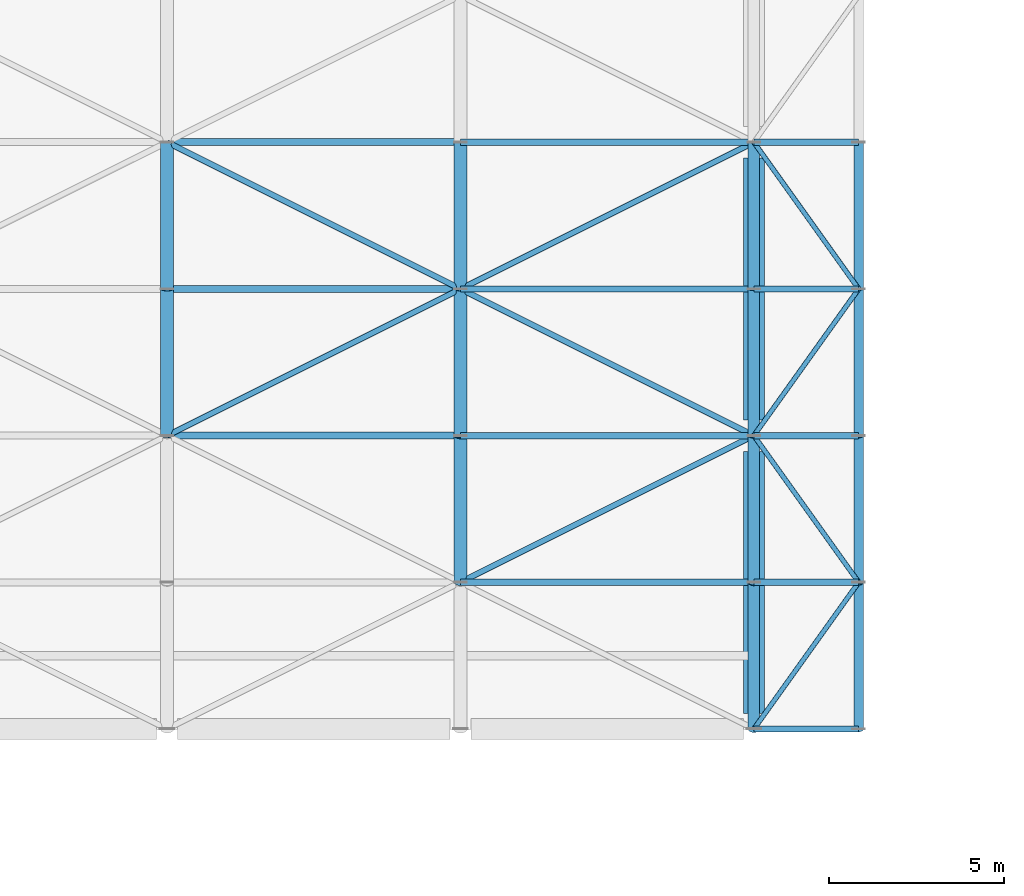
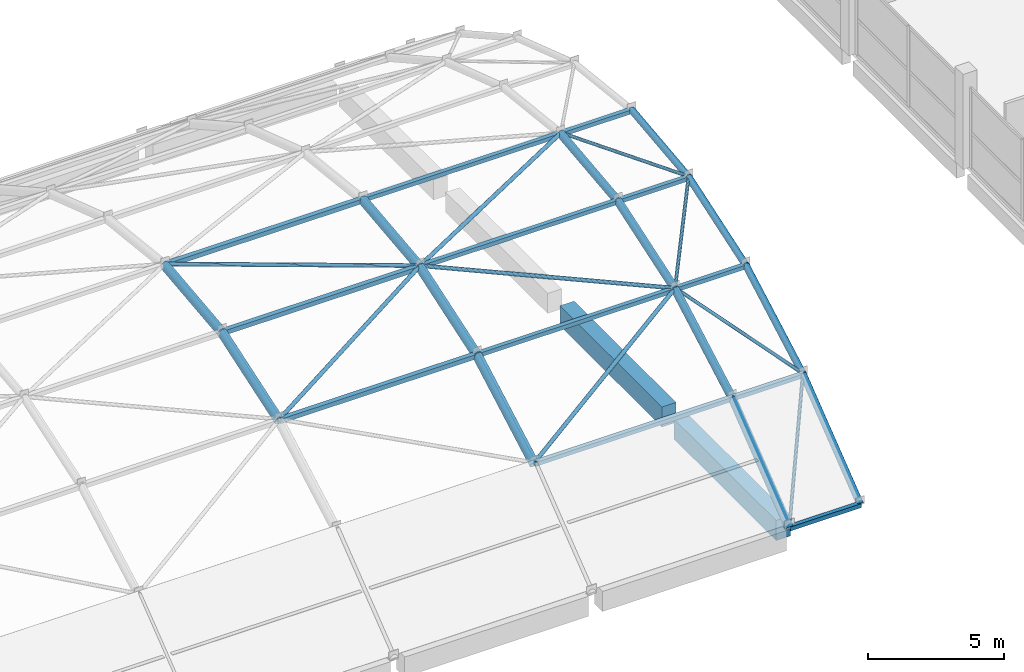
# One storey, part 2 of 38: 21 members, 15 beams.
"""IFC4 building model written with IfcOpenShell, lengths in metres."""

from ifc_helpers import new_model, si_unit, direction, frame, origin, origin_2d, place, context, subcontext, project, spatial, rectangle, hollow_rectangle, hollow_circle, extrude, material, material_profile, profile_set, type_object, element, save


model = new_model("IFC4")

# Units and contexts
model_context = context("Model", 3, precision=1e-05, world=origin(), true_north=direction((0.0, 1.0)))
body_context = subcontext(model_context, "Body", "Model", "MODEL_VIEW")
ifc_project = project(units=[si_unit("LENGTHUNIT", "METRE"), si_unit("AREAUNIT", "SQUARE_METRE"), si_unit("VOLUMEUNIT", "CUBIC_METRE"), si_unit("PLANEANGLEUNIT", "RADIAN"), si_unit("MASSUNIT", "GRAM", prefix="KILO")], contexts=[model_context])

# Site, building, storey
site_placement = place(None, origin())
site = spatial("IfcSite", under=ifc_project, at=site_placement, CompositionType="ELEMENT")
building_placement = place(site_placement, origin())
building = spatial("IfcBuilding", under=site, at=building_placement, Name="Brinegate Botanical Conservatory", CompositionType="ELEMENT")
storey_placement = place(building_placement, frame((0.0, 0.0, 10.199951171875)))
storey = spatial("IfcBuildingStorey", under=building, at=storey_placement, Name="L03", CompositionType="ELEMENT", Elevation=10.199951171875)

# Beams
ifc_material_1 = material(Name="Structural steel Q355B / S355", Category="steel")
ifc_material_profile_1 = material_profile(ifc_material_1, hollow_circle(Radius=0.16259765625, WallThickness=0.013916015625, at=origin_2d()), Name="CHS 325x14")
ifc_profile_set_1 = profile_set([ifc_material_profile_1], Name="Structural steel Q355B / S355")
beam_type_1 = type_object("IfcBeamType", Name="Beam_GA-01", PredefinedType="BEAM", material=ifc_profile_set_1)
beam_1_placement = place(storey_placement, frame((33.60009765625, 78.39990234375, -0.162353515625), z_axis=(0.0, 0.788060484475, 0.615597817418), x_axis=(-1.0, 0.0, 0.0)))
element("IfcBeam", 1, at=beam_1_placement, inside=storey, type_object=beam_type_1, Name="Conservatory vault arch rib GA-01 WP-037-WP-038", PredefinedType="BEAM", context=body_context, shape_type="SweptSolid", body=[
    extrude(hollow_circle(Radius=0.16259765625, WallThickness=0.013916015625, at=origin_2d()), origin(), (0.0, 0.0, 1.0), 5.329833984375),
])
beam_2_placement = place(storey_placement, frame((33.60009765625, 82.60009765625, 3.11865234375), z_axis=(0.0, 0.873212270068, 0.487340057253), x_axis=(-1.0, 0.0, 0.0)))
element("IfcBeam", 2, at=beam_2_placement, inside=storey, type_object=beam_type_1, Name="Conservatory vault arch rib GA-01 WP-038-WP-039", PredefinedType="BEAM", context=body_context, shape_type="SweptSolid", body=[
    extrude(hollow_circle(Radius=0.16259765625, WallThickness=0.013916015625, at=origin_2d()), origin(), (0.0, 0.0, 1.0), 4.809814453125),
])
beam_3_placement = place(storey_placement, frame((33.60009765625, 86.800048828125, 5.462646484375), z_axis=(0.0, 0.948274601339, 0.317451225316), x_axis=(-1.0, 0.0, 0.0)))
element("IfcBeam", 3, at=beam_3_placement, inside=storey, type_object=beam_type_1, Name="Conservatory vault arch rib GA-01 WP-039-WP-040", PredefinedType="BEAM", context=body_context, shape_type="SweptSolid", body=[
    extrude(hollow_circle(Radius=0.16259765625, WallThickness=0.013916015625, at=origin_2d()), origin(), (0.0, 0.0, 1.0), 4.428955078125),
])
beam_4_placement = place(storey_placement, frame((33.60009765625, 91.0, 6.86865234375), z_axis=(0.0, 0.99382299669, 0.110976805013), x_axis=(-1.0, 0.0, 0.0)))
element("IfcBeam", 4, at=beam_4_placement, inside=storey, type_object=beam_type_1, Name="Conservatory vault arch rib GA-01 WP-040-WP-041", PredefinedType="BEAM", context=body_context, shape_type="SweptSolid", body=[
    extrude(hollow_circle(Radius=0.16259765625, WallThickness=0.013916015625, at=origin_2d()), origin(), (0.0, 0.0, 1.0), 4.22607421875),
])
ifc_material_profile_2 = material_profile(ifc_material_1, hollow_circle(Radius=0.136474609375, WallThickness=0.011962890625, at=origin_2d()), Name="CHS 273x12")
ifc_profile_set_2 = profile_set([ifc_material_profile_2], Name="Structural steel Q355B / S355")
beam_type_2 = type_object("IfcBeamType", Name="Beam_GA-02", PredefinedType="BEAM", material=ifc_profile_set_2)
beam_5_placement = place(storey_placement, frame((36.60009765625, 78.39990234375, -0.136474609375), z_axis=(0.0, 0.788038262404, 0.615626264049), x_axis=(-1.0, 0.0, 0.0)))
element("IfcBeam", 5, at=beam_5_placement, inside=storey, type_object=beam_type_2, Name="Conservatory vault arch rib GA-02 WP-046-WP-047", PredefinedType="BEAM", context=body_context, shape_type="SweptSolid", body=[
    extrude(hollow_circle(Radius=0.136474609375, WallThickness=0.011962890625, at=origin_2d()), origin(), (0.0, 0.0, 1.0), 5.329833984375),
])
beam_6_placement = place(storey_placement, frame((36.60009765625, 82.60009765625, 3.144775390625), z_axis=(0.0, 0.873233870432, 0.487301351866), x_axis=(-1.0, 0.0, 0.0)))
element("IfcBeam", 6, at=beam_6_placement, inside=storey, type_object=beam_type_2, Name="Conservatory vault arch rib GA-02 WP-047-WP-048", PredefinedType="BEAM", context=body_context, shape_type="SweptSolid", body=[
    extrude(hollow_circle(Radius=0.136474609375, WallThickness=0.011962890625, at=origin_2d()), origin(), (0.0, 0.0, 1.0), 4.8095703125),
])
beam_7_placement = place(storey_placement, frame((36.60009765625, 86.800048828125, 5.488525390625), z_axis=(0.0, 0.948258006718, 0.317500791646), x_axis=(-1.0, 0.0, 0.0)))
element("IfcBeam", 7, at=beam_7_placement, inside=storey, type_object=beam_type_2, Name="Conservatory vault arch rib GA-02 WP-048-WP-049", PredefinedType="BEAM", context=body_context, shape_type="SweptSolid", body=[
    extrude(hollow_circle(Radius=0.136474609375, WallThickness=0.011962890625, at=origin_2d()), origin(), (0.0, 0.0, 1.0), 4.42919921875),
])
beam_8_placement = place(storey_placement, frame((36.60009765625, 91.0, 6.894775390625), z_axis=(0.0, 0.993829366657, 0.110919745625), x_axis=(-1.0, 0.0, 0.0)))
element("IfcBeam", 8, at=beam_8_placement, inside=storey, type_object=beam_type_2, Name="Conservatory vault arch rib GA-02 WP-049-WP-050", PredefinedType="BEAM", context=body_context, shape_type="SweptSolid", body=[
    extrude(hollow_circle(Radius=0.136474609375, WallThickness=0.011962890625, at=origin_2d()), origin(), (0.0, 0.0, 1.0), 4.22607421875),
])
ifc_material_profile_3 = material_profile(ifc_material_1, hollow_circle(Radius=0.1884765625, WallThickness=0.01611328125, at=origin_2d()), Name="CHS 377x16")
ifc_profile_set_3 = profile_set([ifc_material_profile_3], Name="Structural steel Q355B / S355")
beam_type_3 = type_object("IfcBeamType", Name="Beam_GA-03", PredefinedType="BEAM", material=ifc_profile_set_3)
beam_9_placement = place(storey_placement, frame((16.800048828125, 86.800048828125, 5.4365234375), z_axis=(0.0, 0.948258006718, 0.317500791646), x_axis=(-1.0, 0.0, 0.0)))
element("IfcBeam", 9, at=beam_9_placement, inside=storey, type_object=beam_type_3, Name="Conservatory vault arch rib GA-03 WP-021-WP-022", PredefinedType="BEAM", context=body_context, shape_type="SweptSolid", body=[
    extrude(hollow_circle(Radius=0.1884765625, WallThickness=0.01611328125, at=origin_2d()), origin(), (0.0, 0.0, 1.0), 4.42919921875),
])
beam_10_placement = place(storey_placement, frame((16.800048828125, 91.0, 6.8427734375), z_axis=(0.0, 0.993829366657, 0.110919745625), x_axis=(-1.0, 0.0, 0.0)))
element("IfcBeam", 10, at=beam_10_placement, inside=storey, type_object=beam_type_3, Name="Conservatory vault arch rib GA-03 WP-022-WP-023", PredefinedType="BEAM", context=body_context, shape_type="SweptSolid", body=[
    extrude(hollow_circle(Radius=0.1884765625, WallThickness=0.01611328125, at=origin_2d()), origin(), (0.0, 0.0, 1.0), 4.22607421875),
])
beam_11_placement = place(storey_placement, frame((25.199951171875, 82.60009765625, 3.0927734375), z_axis=(0.0, 0.873233870432, 0.487301351866), x_axis=(-1.0, 0.0, 0.0)))
element("IfcBeam", 11, at=beam_11_placement, inside=storey, type_object=beam_type_3, Name="Conservatory vault arch rib GA-03 WP-029-WP-030", PredefinedType="BEAM", context=body_context, shape_type="SweptSolid", body=[
    extrude(hollow_circle(Radius=0.1884765625, WallThickness=0.01611328125, at=origin_2d()), origin(), (0.0, 0.0, 1.0), 4.8095703125),
])
beam_12_placement = place(storey_placement, frame((25.199951171875, 86.800048828125, 5.4365234375), z_axis=(0.0, 0.948258006718, 0.317500791646), x_axis=(-1.0, 0.0, 0.0)))
element("IfcBeam", 12, at=beam_12_placement, inside=storey, type_object=beam_type_3, Name="Conservatory vault arch rib GA-03 WP-030-WP-031", PredefinedType="BEAM", context=body_context, shape_type="SweptSolid", body=[
    extrude(hollow_circle(Radius=0.1884765625, WallThickness=0.01611328125, at=origin_2d()), origin(), (0.0, 0.0, 1.0), 4.42919921875),
])
beam_13_placement = place(storey_placement, frame((25.199951171875, 91.0, 6.8427734375), z_axis=(0.0, 0.993829366657, 0.110919745625), x_axis=(-1.0, 0.0, 0.0)))
element("IfcBeam", 13, at=beam_13_placement, inside=storey, type_object=beam_type_3, Name="Conservatory vault arch rib GA-03 WP-031-WP-032", PredefinedType="BEAM", context=body_context, shape_type="SweptSolid", body=[
    extrude(hollow_circle(Radius=0.1884765625, WallThickness=0.01611328125, at=origin_2d()), origin(), (0.0, 0.0, 1.0), 4.22607421875),
])
ifc_material_2 = material(Name="Concrete C40/50", Category="concrete")
ifc_material_profile_4 = material_profile(ifc_material_2, rectangle(XDim=0.60009765625, YDim=0.89990234375, at=origin_2d()), Name="RC RB 600x900")
ifc_profile_set_4 = profile_set([ifc_material_profile_4], Name="Concrete C40/50")
beam_type_4 = type_object("IfcBeamType", Name="Beam_RB-V1", PredefinedType="BEAM", material=ifc_profile_set_4)
for number, where, z_axis, x_axis, name in (
    (14, (33.60009765625, 78.85009765625, -0.449951171875), (0.0, 1.0, 0.0), (-1.0, 0.0, 0.0), "Conservatory vault ring beam RB-V1 east 1"),
    (15, (33.60009765625, 87.25, -0.449951171875), (0.0, 1.0, 0.0), (-1.0, 0.0, 0.0), "Conservatory vault ring beam RB-V1 east 2"),
):
    element("IfcBeam", number, at=place(storey_placement, frame(where, z_axis=z_axis, x_axis=x_axis)), inside=storey, type_object=beam_type_4, Name=name, PredefinedType="BEAM", context=body_context, shape_type="SweptSolid", body=[
        extrude(rectangle(XDim=0.60009765625, YDim=0.89990234375, at=origin_2d()), origin(), (0.0, 0.0, 1.0), 7.5),
    ])

# Members
ifc_material_profile_5 = material_profile(ifc_material_1, hollow_circle(Radius=0.083984375, WallThickness=0.008056640625, at=origin_2d()), Name="CHS 168x8")
ifc_profile_set_5 = profile_set([ifc_material_profile_5], Name="Structural steel Q355B / S355")
member_type_1 = type_object("IfcMemberType", Name="Member_GD-01", PredefinedType="BRACE", material=ifc_profile_set_5)
member_1_placement = place(storey_placement, frame((16.800048828125, 86.800048828125, 5.5009765625), z_axis=(0.884562109088, 0.442281054544, 0.148112605663), x_axis=(-0.4472135955, 0.894427191, 0.0)))
element("IfcMember", 16, at=member_1_placement, inside=storey, type_object=member_type_1, Name="Conservatory gridshell diagrid brace GD-01 WP-021-WP-031", PredefinedType="BRACE", context=body_context, shape_type="SweptSolid", body=[
    extrude(hollow_circle(Radius=0.083984375, WallThickness=0.008056640625, at=origin_2d()), origin(), (0.0, 0.0, 1.0), 9.49609375),
])
member_2_placement = place(storey_placement, frame((25.199951171875, 91.0, 6.907470703125), z_axis=(-0.893316286137, 0.446658143069, 0.049824854767), x_axis=(-0.4472135955, -0.894427191, 0.0)))
element("IfcMember", 17, at=member_2_placement, inside=storey, type_object=member_type_1, Name="Conservatory gridshell diagrid brace GD-01 WP-031-WP-023", PredefinedType="BRACE", context=body_context, shape_type="SweptSolid", body=[
    extrude(hollow_circle(Radius=0.083984375, WallThickness=0.008056640625, at=origin_2d()), origin(), (0.0, 0.0, 1.0), 9.403076171875),
])
member_3_placement = place(storey_placement, frame((25.199951171875, 82.60009765625, 3.157470703125), z_axis=(0.86782230022, 0.43389853898, 0.242108473852), x_axis=(-0.447203197209, 0.89443239007, 0.0)))
element("IfcMember", 18, at=member_3_placement, inside=storey, type_object=member_type_1, Name="Conservatory gridshell diagrid brace GD-01 WP-029-WP-039", PredefinedType="BRACE", context=body_context, shape_type="SweptSolid", body=[
    extrude(hollow_circle(Radius=0.083984375, WallThickness=0.008056640625, at=origin_2d()), origin(), (0.0, 0.0, 1.0), 9.6796875),
])
member_4_placement = place(storey_placement, frame((33.60009765625, 86.800048828125, 5.5009765625), z_axis=(-0.884567702003, 0.442270996528, 0.1481092374), x_axis=(-0.447203197209, -0.89443239007, 0.0)))
element("IfcMember", 19, at=member_4_placement, inside=storey, type_object=member_type_1, Name="Conservatory gridshell diagrid brace GD-01 WP-039-WP-031", PredefinedType="BRACE", context=body_context, shape_type="SweptSolid", body=[
    extrude(hollow_circle(Radius=0.083984375, WallThickness=0.008056640625, at=origin_2d()), origin(), (0.0, 0.0, 1.0), 9.496337890625),
])
member_5_placement = place(storey_placement, frame((25.199951171875, 91.0, 6.907470703125), z_axis=(0.893321530313, 0.446647783474, 0.04982369915), x_axis=(-0.447203197209, 0.89443239007, 0.0)))
element("IfcMember", 20, at=member_5_placement, inside=storey, type_object=member_type_1, Name="Conservatory gridshell diagrid brace GD-01 WP-031-WP-041", PredefinedType="BRACE", context=body_context, shape_type="SweptSolid", body=[
    extrude(hollow_circle(Radius=0.083984375, WallThickness=0.008056640625, at=origin_2d()), origin(), (0.0, 0.0, 1.0), 9.4033203125),
])
ifc_material_profile_6 = material_profile(ifc_material_1, hollow_circle(Radius=0.070068359375, WallThickness=0.006103515625, at=origin_2d()), Name="CHS 140x6")
ifc_profile_set_6 = profile_set([ifc_material_profile_6], Name="Structural steel Q355B / S355")
member_type_2 = type_object("IfcMemberType", Name="Member_GD-02", PredefinedType="BRACE", material=ifc_profile_set_6)
member_6_placement = place(storey_placement, frame((33.60009765625, 78.39990234375, -0.10986328125), z_axis=(0.490508913819, 0.68674441352, 0.536454206772), x_axis=(-0.813746254747, 0.581220296346, 0.0)))
element("IfcMember", 21, at=member_6_placement, inside=storey, type_object=member_type_2, Name="Conservatory gridshell diagrid brace GD-02 WP-037-WP-047", PredefinedType="BRACE", context=body_context, shape_type="SweptSolid", body=[
    extrude(hollow_circle(Radius=0.070068359375, WallThickness=0.006103515625, at=origin_2d()), origin(), (0.0, 0.0, 1.0), 6.1162109375),
])
member_7_placement = place(storey_placement, frame((36.60009765625, 82.60009765625, 3.171142578125), z_axis=(-0.529224019257, 0.740905013288, 0.413499333405), x_axis=(-0.813730275137, -0.581242668191, 0.0)))
element("IfcMember", 22, at=member_7_placement, inside=storey, type_object=member_type_2, Name="Conservatory gridshell diagrid brace GD-02 WP-047-WP-039", PredefinedType="BRACE", context=body_context, shape_type="SweptSolid", body=[
    extrude(hollow_circle(Radius=0.070068359375, WallThickness=0.006103515625, at=origin_2d()), origin(), (0.0, 0.0, 1.0), 5.668701171875),
])
member_8_placement = place(storey_placement, frame((33.60009765625, 86.800048828125, 5.51513671875), z_axis=(0.560807011401, 0.785120688243, 0.262832648003), x_axis=(-0.813730275137, 0.581242668191, 0.0)))
element("IfcMember", 23, at=member_8_placement, inside=storey, type_object=member_type_2, Name="Conservatory gridshell diagrid brace GD-02 WP-039-WP-049", PredefinedType="BRACE", context=body_context, shape_type="SweptSolid", body=[
    extrude(hollow_circle(Radius=0.070068359375, WallThickness=0.006103515625, at=origin_2d()), origin(), (0.0, 0.0, 1.0), 5.349365234375),
])
member_9_placement = place(storey_placement, frame((36.60009765625, 91.0, 6.921142578125), z_axis=(-0.578857848593, 0.810391566516, 0.090493646415), x_axis=(-0.813730275137, -0.581242668191, 0.0)))
element("IfcMember", 24, at=member_9_placement, inside=storey, type_object=member_type_2, Name="Conservatory gridshell diagrid brace GD-02 WP-049-WP-041", PredefinedType="BRACE", context=body_context, shape_type="SweptSolid", body=[
    extrude(hollow_circle(Radius=0.070068359375, WallThickness=0.006103515625, at=origin_2d()), origin(), (0.0, 0.0, 1.0), 5.1826171875),
])
ifc_material_profile_7 = material_profile(ifc_material_1, hollow_rectangle(XDim=0.199951171875, YDim=0.199951171875, WallThickness=0.010009765625, at=origin_2d()), Name="SHS 200x200x10")
ifc_profile_set_7 = profile_set([ifc_material_profile_7], Name="Structural steel Q355B / S355")
member_type_3 = type_object("IfcMemberType", Name="Member_GP-01", PredefinedType="PURLIN", material=ifc_profile_set_7)
for number, where, z_axis, x_axis, name in (
    (25, (16.800048828125, 86.800048828125, 5.45703125), (1.0, 0.0, 0.0), (0.0, 1.0, 0.0), "Conservatory gridshell purlin GP-01 WP-021-WP-030"),
    (26, (16.800048828125, 91.0, 6.86328125), (1.0, 0.0, 0.0), (0.0, 1.0, 0.0), "Conservatory gridshell purlin GP-01 WP-022-WP-031"),
    (27, (16.800048828125, 95.199951171875, 7.33203125), (1.0, 0.0, 0.0), (0.0, 1.0, 0.0), "Conservatory gridshell purlin GP-01 WP-023-WP-032"),
):
    element("IfcMember", number, at=place(storey_placement, frame(where, z_axis=z_axis, x_axis=x_axis)), inside=storey, type_object=member_type_3, Name=name, PredefinedType="PURLIN", context=body_context, shape_type="SweptSolid", body=[
        extrude(hollow_rectangle(XDim=0.199951171875, YDim=0.199951171875, WallThickness=0.010009765625, at=origin_2d()), origin(), (0.0, 0.0, 1.0), 8.39990234375),
    ])
ifc_material_profile_8 = material_profile(ifc_material_1, hollow_rectangle(XDim=0.179931640625, YDim=0.179931640625, WallThickness=0.010009765625, at=origin_2d()), Name="SHS 180x180x10")
ifc_profile_set_8 = profile_set([ifc_material_profile_8], Name="Structural steel Q355B / S355")
member_type_4 = type_object("IfcMemberType", Name="Member_GP-02", PredefinedType="PURLIN", material=ifc_profile_set_8)
member_10_placement = place(storey_placement, frame((33.60009765625, 78.39990234375, -0.157958984375), z_axis=(1.0, 0.0, 0.0), x_axis=(0.0, 1.0, 0.0)))
element("IfcMember", 28, at=member_10_placement, inside=storey, type_object=member_type_4, Name="Conservatory gridshell purlin GP-02 WP-037-WP-046", PredefinedType="PURLIN", context=body_context, shape_type="SweptSolid", body=[
    extrude(hollow_rectangle(XDim=0.179931640625, YDim=0.179931640625, WallThickness=0.010009765625, at=origin_2d()), origin(), (0.0, 0.0, 1.0), 3.0),
])
member_11_placement = place(storey_placement, frame((25.199951171875, 82.60009765625, 3.123291015625), z_axis=(1.0, 0.0, 0.0), x_axis=(0.0, 1.0, 0.0)))
element("IfcMember", 29, at=member_11_placement, inside=storey, type_object=member_type_4, Name="Conservatory gridshell purlin GP-02 WP-029-WP-038", PredefinedType="PURLIN", context=body_context, shape_type="SweptSolid", body=[
    extrude(hollow_rectangle(XDim=0.179931640625, YDim=0.179931640625, WallThickness=0.010009765625, at=origin_2d()), origin(), (0.0, 0.0, 1.0), 8.400146484375),
])
member_12_placement = place(storey_placement, frame((33.60009765625, 82.60009765625, 3.123291015625), z_axis=(1.0, 0.0, 0.0), x_axis=(0.0, 1.0, 0.0)))
element("IfcMember", 30, at=member_12_placement, inside=storey, type_object=member_type_4, Name="Conservatory gridshell purlin GP-02 WP-038-WP-047", PredefinedType="PURLIN", context=body_context, shape_type="SweptSolid", body=[
    extrude(hollow_rectangle(XDim=0.179931640625, YDim=0.179931640625, WallThickness=0.010009765625, at=origin_2d()), origin(), (0.0, 0.0, 1.0), 3.0),
])
member_13_placement = place(storey_placement, frame((25.199951171875, 86.800048828125, 5.467041015625), z_axis=(1.0, 0.0, 0.0), x_axis=(0.0, 1.0, 0.0)))
element("IfcMember", 31, at=member_13_placement, inside=storey, type_object=member_type_4, Name="Conservatory gridshell purlin GP-02 WP-030-WP-039", PredefinedType="PURLIN", context=body_context, shape_type="SweptSolid", body=[
    extrude(hollow_rectangle(XDim=0.179931640625, YDim=0.179931640625, WallThickness=0.010009765625, at=origin_2d()), origin(), (0.0, 0.0, 1.0), 8.400146484375),
])
member_14_placement = place(storey_placement, frame((33.60009765625, 86.800048828125, 5.467041015625), z_axis=(1.0, 0.0, 0.0), x_axis=(0.0, 1.0, 0.0)))
element("IfcMember", 32, at=member_14_placement, inside=storey, type_object=member_type_4, Name="Conservatory gridshell purlin GP-02 WP-039-WP-048", PredefinedType="PURLIN", context=body_context, shape_type="SweptSolid", body=[
    extrude(hollow_rectangle(XDim=0.179931640625, YDim=0.179931640625, WallThickness=0.010009765625, at=origin_2d()), origin(), (0.0, 0.0, 1.0), 3.0),
])
member_15_placement = place(storey_placement, frame((25.199951171875, 91.0, 6.873291015625), z_axis=(1.0, 0.0, 0.0), x_axis=(0.0, 1.0, 0.0)))
element("IfcMember", 33, at=member_15_placement, inside=storey, type_object=member_type_4, Name="Conservatory gridshell purlin GP-02 WP-031-WP-040", PredefinedType="PURLIN", context=body_context, shape_type="SweptSolid", body=[
    extrude(hollow_rectangle(XDim=0.179931640625, YDim=0.179931640625, WallThickness=0.010009765625, at=origin_2d()), origin(), (0.0, 0.0, 1.0), 8.400146484375),
])
member_16_placement = place(storey_placement, frame((33.60009765625, 91.0, 6.873291015625), z_axis=(1.0, 0.0, 0.0), x_axis=(0.0, 1.0, 0.0)))
element("IfcMember", 34, at=member_16_placement, inside=storey, type_object=member_type_4, Name="Conservatory gridshell purlin GP-02 WP-040-WP-049", PredefinedType="PURLIN", context=body_context, shape_type="SweptSolid", body=[
    extrude(hollow_rectangle(XDim=0.179931640625, YDim=0.179931640625, WallThickness=0.010009765625, at=origin_2d()), origin(), (0.0, 0.0, 1.0), 3.0),
])
member_17_placement = place(storey_placement, frame((25.199951171875, 95.199951171875, 7.342041015625), z_axis=(1.0, 0.0, 0.0), x_axis=(0.0, 1.0, 0.0)))
element("IfcMember", 35, at=member_17_placement, inside=storey, type_object=member_type_4, Name="Conservatory gridshell purlin GP-02 WP-032-WP-041", PredefinedType="PURLIN", context=body_context, shape_type="SweptSolid", body=[
    extrude(hollow_rectangle(XDim=0.179931640625, YDim=0.179931640625, WallThickness=0.010009765625, at=origin_2d()), origin(), (0.0, 0.0, 1.0), 8.400146484375),
])
member_18_placement = place(storey_placement, frame((33.60009765625, 95.199951171875, 7.342041015625), z_axis=(1.0, 0.0, 0.0), x_axis=(0.0, 1.0, 0.0)))
element("IfcMember", 36, at=member_18_placement, inside=storey, type_object=member_type_4, Name="Conservatory gridshell purlin GP-02 WP-041-WP-050", PredefinedType="PURLIN", context=body_context, shape_type="SweptSolid", body=[
    extrude(hollow_rectangle(XDim=0.179931640625, YDim=0.179931640625, WallThickness=0.010009765625, at=origin_2d()), origin(), (0.0, 0.0, 1.0), 3.0),
])

save(model, "model.ifc")
